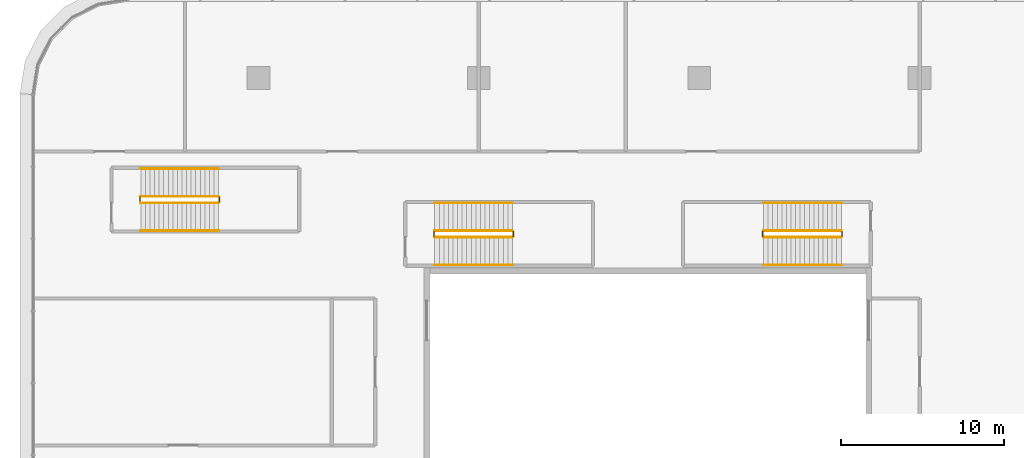
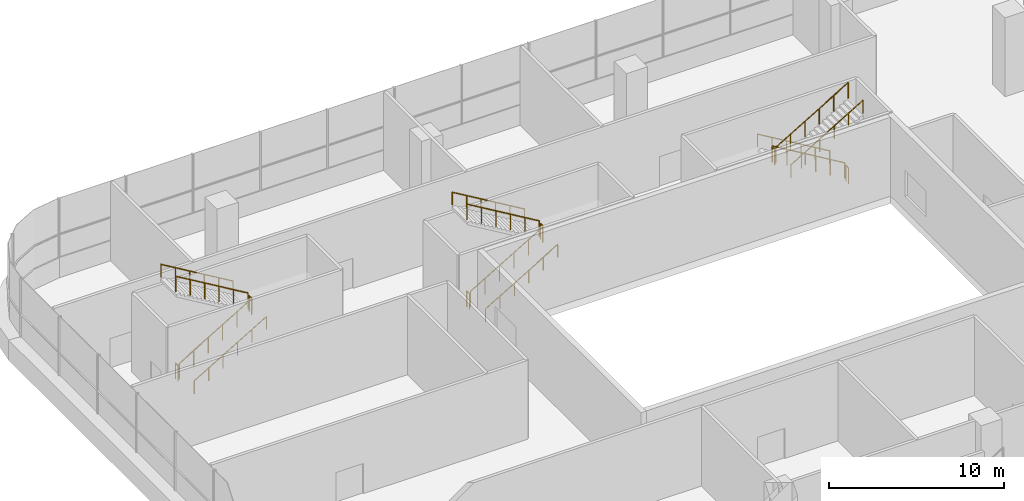
# One storey, part 48 of 52: 18 railings.
"""IFC4 building model written with IfcOpenShell, lengths in metres."""

from ifc_helpers import new_model, si_unit, direction, frame, origin, origin_2d, place, context, subcontext, project, spatial, circle, extrude, material, type_object, element, save


model = new_model("IFC4")

# Units and contexts
model_context = context("Model", 3, precision=1e-05, world=origin(), true_north=direction((0.0, 1.0)))
body_context = subcontext(model_context, "Body", "Model", "MODEL_VIEW")
ifc_project = project(units=[si_unit("LENGTHUNIT", "METRE"), si_unit("AREAUNIT", "SQUARE_METRE"), si_unit("VOLUMEUNIT", "CUBIC_METRE"), si_unit("PLANEANGLEUNIT", "RADIAN"), si_unit("MASSUNIT", "GRAM", prefix="KILO")], contexts=[model_context])

# Site, building, storey
site_placement = place(None, origin())
site = spatial("IfcSite", under=ifc_project, at=site_placement, CompositionType="ELEMENT")
building_placement = place(site_placement, origin())
building = spatial("IfcBuilding", under=site, at=building_placement, Name="Tamarind Cross Interchange Tower", CompositionType="ELEMENT")
storey_placement = place(building_placement, frame((0.0, 0.0, 9.0)))
storey = spatial("IfcBuildingStorey", under=building, at=storey_placement, Name="L01", CompositionType="ELEMENT", Elevation=9.0)

# Railings
ifc_material_1 = material(Name="Public stair guard")
railing_type_1 = type_object("IfcRailingType", Name="Public stair guard", PredefinedType="GUARDRAIL", material=ifc_material_1)
railing_1_placement = place(storey_placement, frame((-43.199951171875, 44.25, 0.166748046875)))
element("IfcRailing", 1, at=railing_1_placement, inside=storey, type_object=railing_type_1, Name="L01 XS-P04 stair guard 1", PredefinedType="GUARDRAIL", context=body_context, shape_type="SweptSolid", body=[
    extrude(circle(Radius=0.02392578125, at=origin_2d()), frame((0.0, 0.0, 1.076171875), z_axis=(0.859299802514, 0.0, 0.511472237174), x_axis=(0.0, 1.0, 0.0)), (0.0, 0.0, 1.0), 5.539306640625),
    extrude(circle(Radius=0.02099609375, at=origin_2d()), origin(), (0.0, 0.0, 1.0), 1.052001953125),
    extrude(circle(Radius=0.02099609375, at=origin_2d()), frame((0.951904296875, 0.0, 0.566650390625)), (0.0, 0.0, 1.0), 1.052001953125),
    extrude(circle(Radius=0.02099609375, at=origin_2d()), frame((1.904052734375, 0.0, 1.13330078125)), (0.0, 0.0, 1.0), 1.052001953125),
    extrude(circle(Radius=0.02099609375, at=origin_2d()), frame((2.85595703125, 0.0, 1.699951171875)), (0.0, 0.0, 1.0), 1.052001953125),
    extrude(circle(Radius=0.02099609375, at=origin_2d()), frame((3.80810546875, 0.0, 2.2666015625)), (0.0, 0.0, 1.0), 1.052001953125),
    extrude(circle(Radius=0.02099609375, at=origin_2d()), frame((4.760009765625, 0.0, 2.833251953125)), (0.0, 0.0, 1.0), 1.052001953125),
])
railing_2_placement = place(storey_placement, frame((-38.389892578125, 44.300048828125, 3.0)))
element("IfcRailing", 2, at=railing_2_placement, inside=storey, type_object=railing_type_1, Name="L01 XS-P04 stair guard 2", PredefinedType="GUARDRAIL", context=body_context, shape_type="SweptSolid", body=[
    extrude(circle(Radius=0.02392578125, at=origin_2d()), frame((0.0, 0.0, 1.076171875), z_axis=(0.0, 1.0, 0.0), x_axis=(-1.0, 0.0, 0.0)), (0.0, 0.0, 1.0), 0.300048828125),
    extrude(circle(Radius=0.02099609375, at=origin_2d()), origin(), (0.0, 0.0, 1.0), 1.052001953125),
    extrude(circle(Radius=0.02099609375, at=origin_2d()), frame((0.0, 0.300048828125, 0.0)), (0.0, 0.0, 1.0), 1.052001953125),
])
railing_3_placement = place(storey_placement, frame((-38.43994140625, 44.64990234375, 3.166748046875)))
element("IfcRailing", 3, at=railing_3_placement, inside=storey, type_object=railing_type_1, Name="L01 XS-P04 stair guard 3", PredefinedType="GUARDRAIL", context=body_context, shape_type="SweptSolid", body=[
    extrude(circle(Radius=0.02392578125, at=origin_2d()), frame((0.0, 0.0, 1.076171875), z_axis=(-0.859299802514, 0.0, 0.511472237174), x_axis=(0.0, -1.0, 0.0)), (0.0, 0.0, 1.0), 5.539306640625),
    extrude(circle(Radius=0.02099609375, at=origin_2d()), origin(), (0.0, 0.0, 1.0), 1.052001953125),
    extrude(circle(Radius=0.02099609375, at=origin_2d()), frame((-0.951904296875, 0.0, 0.566650390625)), (0.0, 0.0, 1.0), 1.052001953125),
    extrude(circle(Radius=0.02099609375, at=origin_2d()), frame((-1.904052734375, 0.0, 1.13330078125)), (0.0, 0.0, 1.0), 1.052001953125),
    extrude(circle(Radius=0.02099609375, at=origin_2d()), frame((-2.85595703125, 0.0, 1.699951171875)), (0.0, 0.0, 1.0), 1.052001953125),
    extrude(circle(Radius=0.02099609375, at=origin_2d()), frame((-3.80810546875, 0.0, 2.2666015625)), (0.0, 0.0, 1.0), 1.052001953125),
    extrude(circle(Radius=0.02099609375, at=origin_2d()), frame((-4.760009765625, 0.0, 2.833251953125)), (0.0, 0.0, 1.0), 1.052001953125),
])
railing_4_placement = place(storey_placement, frame((-43.25, 44.300048828125, 0.0)))
element("IfcRailing", 4, at=railing_4_placement, inside=storey, type_object=railing_type_1, Name="L01 XS-P04 stair guard 4", PredefinedType="GUARDRAIL", context=body_context, shape_type="SweptSolid", body=[
    extrude(circle(Radius=0.02392578125, at=origin_2d()), frame((0.0, 0.0, 1.076171875), z_axis=(0.0, 1.0, 0.0), x_axis=(-1.0, 0.0, 0.0)), (0.0, 0.0, 1.0), 0.300048828125),
    extrude(circle(Radius=0.02099609375, at=origin_2d()), origin(), (0.0, 0.0, 1.0), 1.052001953125),
    extrude(circle(Radius=0.02099609375, at=origin_2d()), frame((0.0, 0.300048828125, 0.0)), (0.0, 0.0, 1.0), 1.052001953125),
])
railing_5_placement = place(storey_placement, frame((-61.199951171875, 46.35009765625, 0.166748046875)))
element("IfcRailing", 5, at=railing_5_placement, inside=storey, type_object=railing_type_1, Name="L01 XS-P05 stair guard 1", PredefinedType="GUARDRAIL", context=body_context, shape_type="SweptSolid", body=[
    extrude(circle(Radius=0.02392578125, at=origin_2d()), frame((0.0, 0.0, 1.076171875), z_axis=(0.859299802514, 0.0, 0.511472237174), x_axis=(0.0, 1.0, 0.0)), (0.0, 0.0, 1.0), 5.539306640625),
    extrude(circle(Radius=0.02099609375, at=origin_2d()), origin(), (0.0, 0.0, 1.0), 1.052001953125),
    extrude(circle(Radius=0.02099609375, at=origin_2d()), frame((0.951904296875, 0.0, 0.566650390625)), (0.0, 0.0, 1.0), 1.052001953125),
    extrude(circle(Radius=0.02099609375, at=origin_2d()), frame((1.904052734375, 0.0, 1.13330078125)), (0.0, 0.0, 1.0), 1.052001953125),
    extrude(circle(Radius=0.02099609375, at=origin_2d()), frame((2.85595703125, 0.0, 1.699951171875)), (0.0, 0.0, 1.0), 1.052001953125),
    extrude(circle(Radius=0.02099609375, at=origin_2d()), frame((3.80810546875, 0.0, 2.2666015625)), (0.0, 0.0, 1.0), 1.052001953125),
    extrude(circle(Radius=0.02099609375, at=origin_2d()), frame((4.760009765625, 0.0, 2.833251953125)), (0.0, 0.0, 1.0), 1.052001953125),
])
railing_6_placement = place(storey_placement, frame((-56.389892578125, 46.39990234375, 3.0)))
element("IfcRailing", 6, at=railing_6_placement, inside=storey, type_object=railing_type_1, Name="L01 XS-P05 stair guard 2", PredefinedType="GUARDRAIL", context=body_context, shape_type="SweptSolid", body=[
    extrude(circle(Radius=0.02392578125, at=origin_2d()), frame((0.0, 0.0, 1.076171875), z_axis=(0.0, 1.0, 0.0), x_axis=(-1.0, 0.0, 0.0)), (0.0, 0.0, 1.0), 0.300048828125),
    extrude(circle(Radius=0.02099609375, at=origin_2d()), origin(), (0.0, 0.0, 1.0), 1.052001953125),
    extrude(circle(Radius=0.02099609375, at=origin_2d()), frame((0.0, 0.300048828125, 0.0)), (0.0, 0.0, 1.0), 1.052001953125),
])
railing_7_placement = place(storey_placement, frame((-56.43994140625, 46.75, 3.166748046875)))
element("IfcRailing", 7, at=railing_7_placement, inside=storey, type_object=railing_type_1, Name="L01 XS-P05 stair guard 3", PredefinedType="GUARDRAIL", context=body_context, shape_type="SweptSolid", body=[
    extrude(circle(Radius=0.02392578125, at=origin_2d()), frame((0.0, 0.0, 1.076171875), z_axis=(-0.859299802514, 0.0, 0.511472237174), x_axis=(0.0, -1.0, 0.0)), (0.0, 0.0, 1.0), 5.539306640625),
    extrude(circle(Radius=0.02099609375, at=origin_2d()), origin(), (0.0, 0.0, 1.0), 1.052001953125),
    extrude(circle(Radius=0.02099609375, at=origin_2d()), frame((-0.951904296875, 0.0, 0.566650390625)), (0.0, 0.0, 1.0), 1.052001953125),
    extrude(circle(Radius=0.02099609375, at=origin_2d()), frame((-1.904052734375, 0.0, 1.13330078125)), (0.0, 0.0, 1.0), 1.052001953125),
    extrude(circle(Radius=0.02099609375, at=origin_2d()), frame((-2.85595703125, 0.0, 1.699951171875)), (0.0, 0.0, 1.0), 1.052001953125),
    extrude(circle(Radius=0.02099609375, at=origin_2d()), frame((-3.80810546875, 0.0, 2.2666015625)), (0.0, 0.0, 1.0), 1.052001953125),
    extrude(circle(Radius=0.02099609375, at=origin_2d()), frame((-4.760009765625, 0.0, 2.833251953125)), (0.0, 0.0, 1.0), 1.052001953125),
])
railing_8_placement = place(storey_placement, frame((-61.25, 46.39990234375, 0.0)))
element("IfcRailing", 8, at=railing_8_placement, inside=storey, type_object=railing_type_1, Name="L01 XS-P05 stair guard 4", PredefinedType="GUARDRAIL", context=body_context, shape_type="SweptSolid", body=[
    extrude(circle(Radius=0.02392578125, at=origin_2d()), frame((0.0, 0.0, 1.076171875), z_axis=(0.0, 1.0, 0.0), x_axis=(-1.0, 0.0, 0.0)), (0.0, 0.0, 1.0), 0.300048828125),
    extrude(circle(Radius=0.02099609375, at=origin_2d()), origin(), (0.0, 0.0, 1.0), 1.052001953125),
    extrude(circle(Radius=0.02099609375, at=origin_2d()), frame((0.0, 0.300048828125, 0.0)), (0.0, 0.0, 1.0), 1.052001953125),
])
railing_9_placement = place(storey_placement, frame((-18.300048828125, 44.64990234375, 0.166748046875)))
element("IfcRailing", 9, at=railing_9_placement, inside=storey, type_object=railing_type_1, Name="L01 XS-P06 stair guard 1", PredefinedType="GUARDRAIL", context=body_context, shape_type="SweptSolid", body=[
    extrude(circle(Radius=0.02392578125, at=origin_2d()), frame((0.0, 0.0, 1.076171875), z_axis=(-0.859299802514, 0.0, 0.511472237174), x_axis=(0.0, -1.0, 0.0)), (0.0, 0.0, 1.0), 5.539306640625),
    extrude(circle(Radius=0.02099609375, at=origin_2d()), origin(), (0.0, 0.0, 1.0), 1.052001953125),
    extrude(circle(Radius=0.02099609375, at=origin_2d()), frame((-0.951904296875, 0.0, 0.566650390625)), (0.0, 0.0, 1.0), 1.052001953125),
    extrude(circle(Radius=0.02099609375, at=origin_2d()), frame((-1.904052734375, 0.0, 1.13330078125)), (0.0, 0.0, 1.0), 1.052001953125),
    extrude(circle(Radius=0.02099609375, at=origin_2d()), frame((-2.85595703125, 0.0, 1.699951171875)), (0.0, 0.0, 1.0), 1.052001953125),
    extrude(circle(Radius=0.02099609375, at=origin_2d()), frame((-3.80810546875, 0.0, 2.2666015625)), (0.0, 0.0, 1.0), 1.052001953125),
    extrude(circle(Radius=0.02099609375, at=origin_2d()), frame((-4.760009765625, 0.0, 2.833251953125)), (0.0, 0.0, 1.0), 1.052001953125),
])
railing_10_placement = place(storey_placement, frame((-23.110107421875, 44.60009765625, 3.0)))
element("IfcRailing", 10, at=railing_10_placement, inside=storey, type_object=railing_type_1, Name="L01 XS-P06 stair guard 2", PredefinedType="GUARDRAIL", context=body_context, shape_type="SweptSolid", body=[
    extrude(circle(Radius=0.02392578125, at=origin_2d()), frame((0.0, 0.0, 1.076171875), z_axis=(0.0, -1.0, 0.0), x_axis=(1.0, 0.0, 0.0)), (0.0, 0.0, 1.0), 0.300048828125),
    extrude(circle(Radius=0.02099609375, at=origin_2d()), origin(), (0.0, 0.0, 1.0), 1.052001953125),
    extrude(circle(Radius=0.02099609375, at=origin_2d()), frame((0.0, -0.300048828125, 0.0)), (0.0, 0.0, 1.0), 1.052001953125),
])
railing_11_placement = place(storey_placement, frame((-23.06005859375, 44.25, 3.166748046875)))
element("IfcRailing", 11, at=railing_11_placement, inside=storey, type_object=railing_type_1, Name="L01 XS-P06 stair guard 3", PredefinedType="GUARDRAIL", context=body_context, shape_type="SweptSolid", body=[
    extrude(circle(Radius=0.02392578125, at=origin_2d()), frame((0.0, 0.0, 1.076171875), z_axis=(0.859299802514, 0.0, 0.511472237174), x_axis=(0.0, 1.0, 0.0)), (0.0, 0.0, 1.0), 5.539306640625),
    extrude(circle(Radius=0.02099609375, at=origin_2d()), origin(), (0.0, 0.0, 1.0), 1.052001953125),
    extrude(circle(Radius=0.02099609375, at=origin_2d()), frame((0.951904296875, 0.0, 0.566650390625)), (0.0, 0.0, 1.0), 1.052001953125),
    extrude(circle(Radius=0.02099609375, at=origin_2d()), frame((1.904052734375, 0.0, 1.13330078125)), (0.0, 0.0, 1.0), 1.052001953125),
    extrude(circle(Radius=0.02099609375, at=origin_2d()), frame((2.85595703125, 0.0, 1.699951171875)), (0.0, 0.0, 1.0), 1.052001953125),
    extrude(circle(Radius=0.02099609375, at=origin_2d()), frame((3.80810546875, 0.0, 2.2666015625)), (0.0, 0.0, 1.0), 1.052001953125),
    extrude(circle(Radius=0.02099609375, at=origin_2d()), frame((4.760009765625, 0.0, 2.833251953125)), (0.0, 0.0, 1.0), 1.052001953125),
])
railing_12_placement = place(storey_placement, frame((-18.25, 44.60009765625, 0.0)))
element("IfcRailing", 12, at=railing_12_placement, inside=storey, type_object=railing_type_1, Name="L01 XS-P06 stair guard 4", PredefinedType="GUARDRAIL", context=body_context, shape_type="SweptSolid", body=[
    extrude(circle(Radius=0.02392578125, at=origin_2d()), frame((0.0, 0.0, 1.076171875), z_axis=(0.0, -1.0, 0.0), x_axis=(1.0, 0.0, 0.0)), (0.0, 0.0, 1.0), 0.300048828125),
    extrude(circle(Radius=0.02099609375, at=origin_2d()), origin(), (0.0, 0.0, 1.0), 1.052001953125),
    extrude(circle(Radius=0.02099609375, at=origin_2d()), frame((0.0, -0.300048828125, 0.0)), (0.0, 0.0, 1.0), 1.052001953125),
])
ifc_material_2 = material(Name="Public stair handrail")
railing_type_2 = type_object("IfcRailingType", Name="Public stair handrail", PredefinedType="HANDRAIL", material=ifc_material_2)
railing_13_placement = place(storey_placement, frame((-43.199951171875, 42.550048828125, 0.166748046875)))
element("IfcRailing", 13, at=railing_13_placement, inside=storey, type_object=railing_type_2, Name="L01 XS-P04 stair handrail 1", PredefinedType="HANDRAIL", context=body_context, shape_type="SweptSolid", body=[
    extrude(circle(Radius=0.02392578125, at=origin_2d()), frame((0.0, 0.0, 0.8759765625), z_axis=(0.859299802514, 0.0, 0.511472237174), x_axis=(0.0, 1.0, 0.0)), (0.0, 0.0, 1.0), 5.539306640625),
    extrude(circle(Radius=0.02099609375, at=origin_2d()), origin(), (0.0, 0.0, 1.0), 0.851806640625),
    extrude(circle(Radius=0.02099609375, at=origin_2d()), frame((0.951904296875, 0.0, 0.566650390625)), (0.0, 0.0, 1.0), 0.851806640625),
    extrude(circle(Radius=0.02099609375, at=origin_2d()), frame((1.904052734375, 0.0, 1.13330078125)), (0.0, 0.0, 1.0), 0.851806640625),
    extrude(circle(Radius=0.02099609375, at=origin_2d()), frame((2.85595703125, 0.0, 1.699951171875)), (0.0, 0.0, 1.0), 0.851806640625),
    extrude(circle(Radius=0.02099609375, at=origin_2d()), frame((3.80810546875, 0.0, 2.2666015625)), (0.0, 0.0, 1.0), 0.851806640625),
    extrude(circle(Radius=0.02099609375, at=origin_2d()), frame((4.760009765625, 0.0, 2.833251953125)), (0.0, 0.0, 1.0), 0.851806640625),
])
railing_14_placement = place(storey_placement, frame((-38.43994140625, 46.35009765625, 3.166748046875)))
element("IfcRailing", 14, at=railing_14_placement, inside=storey, type_object=railing_type_2, Name="L01 XS-P04 stair handrail 2", PredefinedType="HANDRAIL", context=body_context, shape_type="SweptSolid", body=[
    extrude(circle(Radius=0.02392578125, at=origin_2d()), frame((0.0, 0.0, 0.8759765625), z_axis=(-0.859299802514, 0.0, 0.511472237174), x_axis=(0.0, -1.0, 0.0)), (0.0, 0.0, 1.0), 5.539306640625),
    extrude(circle(Radius=0.02099609375, at=origin_2d()), origin(), (0.0, 0.0, 1.0), 0.851806640625),
    extrude(circle(Radius=0.02099609375, at=origin_2d()), frame((-0.951904296875, 0.0, 0.566650390625)), (0.0, 0.0, 1.0), 0.851806640625),
    extrude(circle(Radius=0.02099609375, at=origin_2d()), frame((-1.904052734375, 0.0, 1.13330078125)), (0.0, 0.0, 1.0), 0.851806640625),
    extrude(circle(Radius=0.02099609375, at=origin_2d()), frame((-2.85595703125, 0.0, 1.699951171875)), (0.0, 0.0, 1.0), 0.851806640625),
    extrude(circle(Radius=0.02099609375, at=origin_2d()), frame((-3.80810546875, 0.0, 2.2666015625)), (0.0, 0.0, 1.0), 0.851806640625),
    extrude(circle(Radius=0.02099609375, at=origin_2d()), frame((-4.760009765625, 0.0, 2.833251953125)), (0.0, 0.0, 1.0), 0.851806640625),
])
railing_15_placement = place(storey_placement, frame((-61.199951171875, 44.64990234375, 0.166748046875)))
element("IfcRailing", 15, at=railing_15_placement, inside=storey, type_object=railing_type_2, Name="L01 XS-P05 stair handrail 1", PredefinedType="HANDRAIL", context=body_context, shape_type="SweptSolid", body=[
    extrude(circle(Radius=0.02392578125, at=origin_2d()), frame((0.0, 0.0, 0.8759765625), z_axis=(0.859299802514, 0.0, 0.511472237174), x_axis=(0.0, 1.0, 0.0)), (0.0, 0.0, 1.0), 5.539306640625),
    extrude(circle(Radius=0.02099609375, at=origin_2d()), origin(), (0.0, 0.0, 1.0), 0.851806640625),
    extrude(circle(Radius=0.02099609375, at=origin_2d()), frame((0.951904296875, 0.0, 0.566650390625)), (0.0, 0.0, 1.0), 0.851806640625),
    extrude(circle(Radius=0.02099609375, at=origin_2d()), frame((1.904052734375, 0.0, 1.13330078125)), (0.0, 0.0, 1.0), 0.851806640625),
    extrude(circle(Radius=0.02099609375, at=origin_2d()), frame((2.85595703125, 0.0, 1.699951171875)), (0.0, 0.0, 1.0), 0.851806640625),
    extrude(circle(Radius=0.02099609375, at=origin_2d()), frame((3.80810546875, 0.0, 2.2666015625)), (0.0, 0.0, 1.0), 0.851806640625),
    extrude(circle(Radius=0.02099609375, at=origin_2d()), frame((4.760009765625, 0.0, 2.833251953125)), (0.0, 0.0, 1.0), 0.851806640625),
])
for number, where, name in (
    (16, (-56.43994140625, 48.449951171875, 3.166748046875), "L01 XS-P05 stair handrail 2"),
    (17, (-18.300048828125, 46.35009765625, 0.166748046875), "L01 XS-P06 stair handrail 1"),
):
    element("IfcRailing", number, at=place(storey_placement, frame(where)), inside=storey, type_object=railing_type_2, Name=name, PredefinedType="HANDRAIL", context=body_context, shape_type="SweptSolid", body=[
        extrude(circle(Radius=0.02392578125, at=origin_2d()), frame((0.0, 0.0, 0.8759765625), z_axis=(-0.859299802514, 0.0, 0.511472237174), x_axis=(0.0, -1.0, 0.0)), (0.0, 0.0, 1.0), 5.539306640625),
        extrude(circle(Radius=0.02099609375, at=origin_2d()), origin(), (0.0, 0.0, 1.0), 0.851806640625),
        extrude(circle(Radius=0.02099609375, at=origin_2d()), frame((-0.951904296875, 0.0, 0.566650390625)), (0.0, 0.0, 1.0), 0.851806640625),
        extrude(circle(Radius=0.02099609375, at=origin_2d()), frame((-1.904052734375, 0.0, 1.13330078125)), (0.0, 0.0, 1.0), 0.851806640625),
        extrude(circle(Radius=0.02099609375, at=origin_2d()), frame((-2.85595703125, 0.0, 1.699951171875)), (0.0, 0.0, 1.0), 0.851806640625),
        extrude(circle(Radius=0.02099609375, at=origin_2d()), frame((-3.80810546875, 0.0, 2.2666015625)), (0.0, 0.0, 1.0), 0.851806640625),
        extrude(circle(Radius=0.02099609375, at=origin_2d()), frame((-4.760009765625, 0.0, 2.833251953125)), (0.0, 0.0, 1.0), 0.851806640625),
    ])
railing_16_placement = place(storey_placement, frame((-23.06005859375, 42.550048828125, 3.166748046875)))
element("IfcRailing", 18, at=railing_16_placement, inside=storey, type_object=railing_type_2, Name="L01 XS-P06 stair handrail 2", PredefinedType="HANDRAIL", context=body_context, shape_type="SweptSolid", body=[
    extrude(circle(Radius=0.02392578125, at=origin_2d()), frame((0.0, 0.0, 0.8759765625), z_axis=(0.859299802514, 0.0, 0.511472237174), x_axis=(0.0, 1.0, 0.0)), (0.0, 0.0, 1.0), 5.539306640625),
    extrude(circle(Radius=0.02099609375, at=origin_2d()), origin(), (0.0, 0.0, 1.0), 0.851806640625),
    extrude(circle(Radius=0.02099609375, at=origin_2d()), frame((0.951904296875, 0.0, 0.566650390625)), (0.0, 0.0, 1.0), 0.851806640625),
    extrude(circle(Radius=0.02099609375, at=origin_2d()), frame((1.904052734375, 0.0, 1.13330078125)), (0.0, 0.0, 1.0), 0.851806640625),
    extrude(circle(Radius=0.02099609375, at=origin_2d()), frame((2.85595703125, 0.0, 1.699951171875)), (0.0, 0.0, 1.0), 0.851806640625),
    extrude(circle(Radius=0.02099609375, at=origin_2d()), frame((3.80810546875, 0.0, 2.2666015625)), (0.0, 0.0, 1.0), 0.851806640625),
    extrude(circle(Radius=0.02099609375, at=origin_2d()), frame((4.760009765625, 0.0, 2.833251953125)), (0.0, 0.0, 1.0), 0.851806640625),
])

save(model, "model.ifc")
